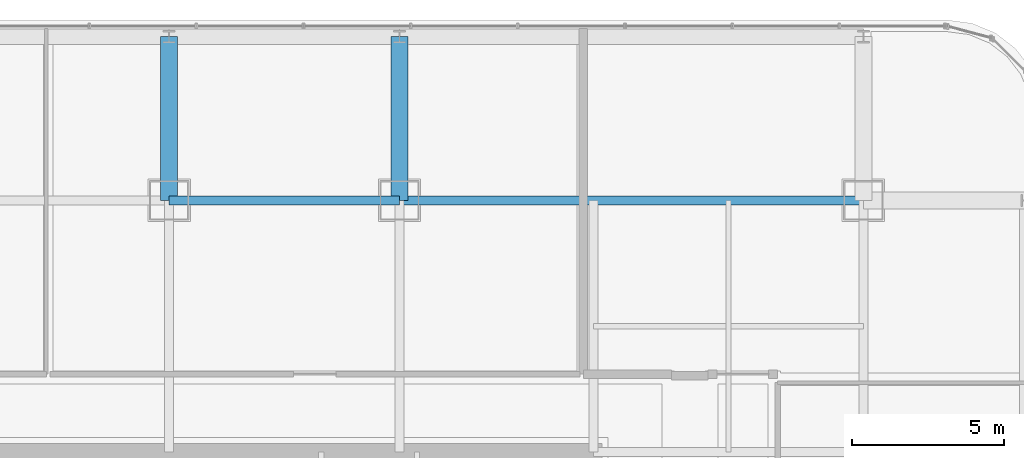
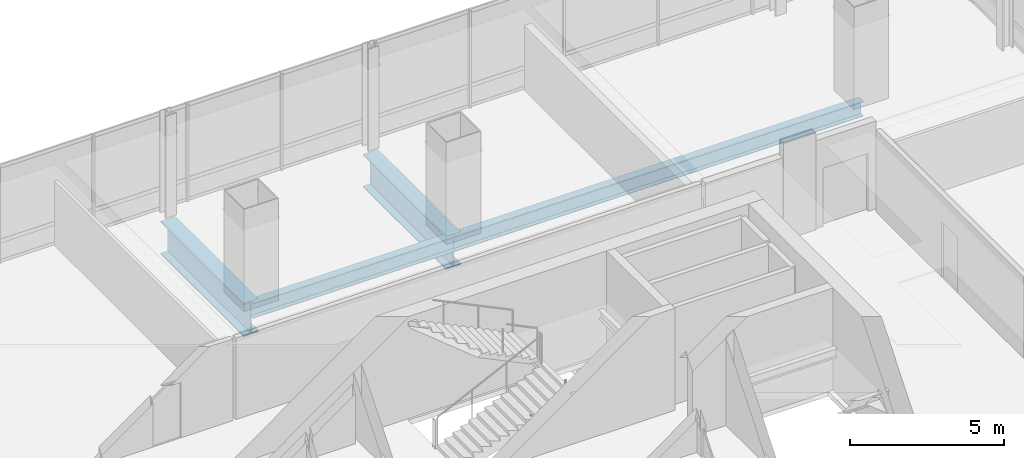
# One storey, part 26 of 40: 4 beams.
"""IFC4 building model written with IfcOpenShell, lengths in metres."""

import ifcopenshell
import ifcopenshell.guid

model = None  # the IFC model being written
_history = None  # IfcOwnerHistory: only IFC2X3 demands one
_inside = {}  # id of a spatial element -> (the spatial element, [elements in it])
_under = {}  # id of a project, library or spatial element -> (it, [spatial elements below it])
_declared = {}  # id of a project -> (the project, [libraries it declares])
_typed = {}  # id of a type object -> (the type object, [elements of that type])
_made_of = {}  # id of a material, layer set ... -> (it, [elements and type objects made of it])


def new_model(schema):
    """Start an empty IFC model of exactly this schema.

    Asked for "IFC4X3", IfcOpenShell would pick the latest addendum, in which some entities
    have other attributes; the version numbers below select the first issue.
    IFC2X3 requires an IfcOwnerHistory on every rooted entity: one is made here for all.
    """
    global model, _history
    if schema == "IFC4X3":
        model = ifcopenshell.file(schema_version=(4, 3, 0, 0))
    else:
        model = ifcopenshell.file(schema=schema)
    _inside.clear()
    _under.clear()
    _declared.clear()
    _typed.clear()
    _made_of.clear()
    _history = None
    if model.schema == "IFC2X3":
        org = make("IfcOrganization", Name="unknown")
        user = make(
            "IfcPersonAndOrganization",
            ThePerson=make("IfcPerson", FamilyName="unknown"),
            TheOrganization=org,
        )
        app = make(
            "IfcApplication",
            ApplicationDeveloper=org,
            Version="unknown",
            ApplicationFullName="unknown",
            ApplicationIdentifier="unknown",
        )
        _history = make(
            "IfcOwnerHistory",
            OwningUser=user,
            OwningApplication=app,
            ChangeAction="ADDED",
            CreationDate=0,
        )
    return model


def make(cls, **values):
    """One entity of the class cls with the attributes given. An attribute that is None is left unset."""
    return model.create_entity(
        cls, **{name: value for name, value in values.items() if value is not None}
    )


def rooted(cls, **values):
    """An entity with a GlobalId (a new one), such as an element, a storey or a relation."""
    return make(cls, GlobalId=ifcopenshell.guid.new(), OwnerHistory=_history, **values)


def si_unit(unit_type, name, prefix=None):
    """IfcSIUnit, for example si_unit("LENGTHUNIT", "METRE", prefix="MILLI")."""
    return make("IfcSIUnit", UnitType=unit_type, Prefix=prefix, Name=name)


def assignment(units):
    """IfcUnitAssignment: the units of a project."""
    return None if units is None else make("IfcUnitAssignment", Units=units)


def point(xyz):
    """IfcCartesianPoint."""
    return None if xyz is None else make("IfcCartesianPoint", Coordinates=xyz)


def direction(xyz):
    """IfcDirection."""
    return None if xyz is None else make("IfcDirection", DirectionRatios=xyz)


def frame(location, z_axis=None, x_axis=None):
    """IfcAxis2Placement3D, a coordinate frame: its origin and axes. An axis left out is left unset."""
    return make(
        "IfcAxis2Placement3D",
        Location=point(location),
        Axis=direction(z_axis),
        RefDirection=direction(x_axis),
    )


def frame_2d(location, x_axis=None):
    """IfcAxis2Placement2D, a coordinate frame in the plane: its origin and x axis."""
    return make(
        "IfcAxis2Placement2D", Location=point(location), RefDirection=direction(x_axis)
    )


def origin():
    """The frame at (0, 0, 0) with its axes left unset."""
    return frame((0.0, 0.0, 0.0))


def origin_2d():
    """The frame at (0, 0) in the plane with its x axis left unset."""
    return frame_2d((0.0, 0.0))


def place(relative_to, where):
    """IfcLocalPlacement: puts the frame where relative to a parent placement (None: the world)."""
    return make(
        "IfcLocalPlacement", PlacementRelTo=relative_to, RelativePlacement=where
    )


def context(
    kind, dimensions, precision=None, world=None, true_north=None, identifier=None
):
    """IfcGeometricRepresentationContext, for example the 3D "Model" context."""
    return make(
        "IfcGeometricRepresentationContext",
        ContextIdentifier=identifier,
        ContextType=kind,
        CoordinateSpaceDimension=dimensions,
        Precision=precision,
        WorldCoordinateSystem=world,
        TrueNorth=true_north,
    )


def subcontext(parent, identifier, kind, view, scale=None):
    """IfcGeometricRepresentationSubContext, for example "Body" below "Model"."""
    return make(
        "IfcGeometricRepresentationSubContext",
        ContextIdentifier=identifier,
        ContextType=kind,
        ParentContext=parent,
        TargetScale=scale,
        TargetView=view,
    )


def project(units=None, contexts=None):
    """IfcProject with its units and contexts."""
    return rooted(
        "IfcProject",
        Name="project",
        RepresentationContexts=contexts,
        UnitsInContext=assignment(units),
    )


def spatial(cls, under=None, at=None, **own):
    """A site, building, storey or space (cls), placed at a placement, below another one or the project."""
    s = rooted(cls, ObjectPlacement=at, **own)
    if under is not None:
        _under.setdefault(under.id(), (under, []))[1].append(s)
    return s


def profile(cls, at=None, kind="AREA", **sizes):
    """A parametric profile (cls). Its sizes go by their IFC names, for example OverallWidth=200.0."""
    return make(cls, ProfileType=kind, Position=at, **sizes)


def i_section(**sizes):
    """IfcIShapeProfileDef."""
    return profile("IfcIShapeProfileDef", **sizes)


def extrude(swept, where, along, depth):
    """IfcExtrudedAreaSolid: the profile swept, set in the frame where, extruded along a direction by depth."""
    return make(
        "IfcExtrudedAreaSolid",
        SweptArea=swept,
        Position=where,
        ExtrudedDirection=direction(along),
        Depth=depth,
    )


def shape(context_of_items, identifier, shape_type, items):
    """IfcShapeRepresentation: the items that make up one representation, for example the "Body"."""
    return make(
        "IfcShapeRepresentation",
        ContextOfItems=context_of_items,
        RepresentationIdentifier=identifier,
        RepresentationType=shape_type,
        Items=items,
    )


def material(Name=None, Category=None):
    """IfcMaterial."""
    return make("IfcMaterial", Name=Name, Category=Category)


def material_profile(
    of_material, cross_section, Name=None, Category=None, Priority=None
):
    """IfcMaterialProfile: a cross section and its material."""
    return make(
        "IfcMaterialProfile",
        Name=Name,
        Material=of_material,
        Profile=cross_section,
        Priority=Priority,
        Category=Category,
    )


def profile_set(profiles, Name=None, composite=None):
    """IfcMaterialProfileSet."""
    return make(
        "IfcMaterialProfileSet",
        Name=Name,
        MaterialProfiles=profiles,
        CompositeProfile=composite,
    )


def made_of(thing, what):
    """Note that an element or type object is made of a material, layer set ...; save() writes the relation."""
    if what is not None:
        _made_of.setdefault(what.id(), (what, []))[1].append(thing)
    return thing


def type_object(cls, material=None, **own):
    """A type object (cls), such as IfcWallType, which elements share."""
    return made_of(rooted(cls, **own), material)


def element(
    cls,
    number,
    at=None,
    inside=None,
    cuts=None,
    type_object=None,
    material=None,
    context=None,
    identifier="Body",
    shape_type=None,
    held_by="IfcProductDefinitionShape",
    body=None,
    shapes=None,
    **own,
):
    """One element of the class cls, such as IfcWall. Its Tag is "e" and its number.

    at: its placement. inside: the storey or other place that contains it. cuts: it is an
    opening in that element (IfcRelVoidsElement). A single representation is given by context,
    identifier, shape_type and body (its items); several are given by shapes. held_by: the class
    of the entity that holds the representations. save() writes the other relations.
    """
    e = rooted(cls, Tag="e%d" % number, ObjectPlacement=at, **own)
    if body is not None:
        shapes = [shape(context, identifier, shape_type, body)]
    if shapes is not None:
        e.Representation = make(held_by, Representations=shapes)
    if inside is not None:
        _inside.setdefault(inside.id(), (inside, []))[1].append(e)
    if cuts is not None:
        rooted(
            "IfcRelVoidsElement", RelatingBuildingElement=cuts, RelatedOpeningElement=e
        )
    if type_object is not None:
        _typed.setdefault(type_object.id(), (type_object, []))[1].append(e)
    return made_of(e, material)


def aggregate(whole, parts):
    """IfcRelAggregates: a whole, such as a stair, and the parts it consists of."""
    return rooted("IfcRelAggregates", RelatingObject=whole, RelatedObjects=parts)


def save(model, path):
    """Write the relations noted so far, then the file.

    IfcRelAggregates (storeys below a building ...), IfcRelContainedInSpatialStructure (elements
    in a storey), IfcRelDefinesByType, IfcRelAssociatesMaterial and IfcRelDeclares: one each for
    every whole, place, type object, material and project.
    """
    for whole, parts in _under.values():
        aggregate(whole, parts)
    for where, things in _inside.values():
        rooted(
            "IfcRelContainedInSpatialStructure",
            RelatedElements=things,
            RelatingStructure=where,
        )
    for kind, things in _typed.values():
        rooted("IfcRelDefinesByType", RelatedObjects=things, RelatingType=kind)
    for what, things in _made_of.values():
        rooted("IfcRelAssociatesMaterial", RelatedObjects=things, RelatingMaterial=what)
    for by, libraries in _declared.values():
        rooted("IfcRelDeclares", RelatingContext=by, RelatedDefinitions=libraries)
    model.write(path)


model = new_model("IFC4")

# Units and contexts
model_context = context("Model", 3, precision=1e-05, world=origin(), true_north=direction((0.0, 1.0)))
body_context = subcontext(model_context, "Body", "Model", "MODEL_VIEW")
ifc_project = project(units=[si_unit("LENGTHUNIT", "METRE"), si_unit("AREAUNIT", "SQUARE_METRE"), si_unit("VOLUMEUNIT", "CUBIC_METRE"), si_unit("PLANEANGLEUNIT", "RADIAN"), si_unit("MASSUNIT", "GRAM", prefix="KILO")], contexts=[model_context])

# Site, building, storey
site_placement = place(None, origin())
site = spatial("IfcSite", under=ifc_project, at=site_placement, CompositionType="ELEMENT")
building_placement = place(site_placement, origin())
building = spatial("IfcBuilding", under=site, at=building_placement, Name="Punatoya Terracotta Tower", CompositionType="ELEMENT")
storey_placement = place(building_placement, frame((0.0, 0.0, 271.64990234375)))
storey = spatial("IfcBuildingStorey", under=building, at=storey_placement, Name="L64", CompositionType="ELEMENT", Elevation=271.64990234375)

# Beams
ifc_material_1 = material(Name="Steel S355", Category="steel")
ifc_material_profile_1 = material_profile(ifc_material_1, i_section(OverallWidth=0.300048828125, OverallDepth=0.60009765625, WebThickness=0.015380859375, FlangeThickness=0.030029296875, FilletRadius=0.01806640625, at=origin_2d()))
ifc_profile_set_1 = profile_set([ifc_material_profile_1], Name="Steel S355")
beam_type_1 = type_object("IfcBeamType", Name="BM-PRI-600", PredefinedType="BEAM", material=ifc_profile_set_1)
beam_1_placement = place(storey_placement, frame((-3.800048828125, 17.5, -0.5), z_axis=(1.0, 0.0, 0.0), x_axis=(0.0, 1.0, 0.0)))
element("IfcBeam", 1, at=beam_1_placement, inside=storey, type_object=beam_type_1, Name="BM-L64-RG-N2", PredefinedType="BEAM", context=body_context, shape_type="SweptSolid", body=[
    extrude(i_section(OverallWidth=0.300048828125, OverallDepth=0.60009765625, WebThickness=0.015380859375, FlangeThickness=0.030029296875, FilletRadius=0.01806640625, at=origin_2d()), origin(), (0.0, 0.0, 1.0), 7.60009765625),
])
beam_2_placement = place(storey_placement, frame((3.800048828125, 17.5, -0.5), z_axis=(1.0, 0.0, 0.0), x_axis=(0.0, 1.0, 0.0)))
element("IfcBeam", 2, at=beam_2_placement, inside=storey, type_object=beam_type_1, Name="BM-L64-RG-N3", PredefinedType="BEAM", context=body_context, shape_type="SweptSolid", body=[
    extrude(i_section(OverallWidth=0.300048828125, OverallDepth=0.60009765625, WebThickness=0.015380859375, FlangeThickness=0.030029296875, FilletRadius=0.01806640625, at=origin_2d()), origin(), (0.0, 0.0, 1.0), 15.300048828125),
])
ifc_material_2 = material(Name="Steel S460", Category="steel")
ifc_material_profile_2 = material_profile(ifc_material_2, i_section(OverallWidth=0.56005859375, OverallDepth=1.320068359375, WebThickness=0.035888671875, FlangeThickness=0.054931640625, FilletRadius=0.01806640625, at=origin_2d()))
ifc_profile_set_2 = profile_set([ifc_material_profile_2], Name="Steel S460")
beam_type_2 = type_object("IfcBeamType", Name="BM-TG-BLK", PredefinedType="BEAM", material=ifc_profile_set_2)
for number, where, z_axis, x_axis, name in (
    (3, (-3.800048828125, 17.5, -0.85986328125), (0.0, 1.0, 0.0), (-1.0, 0.0, 0.0), "BM-L64-CANT-N2"),
    (4, (3.800048828125, 17.5, -0.85986328125), (0.0, 1.0, 0.0), (-1.0, 0.0, 0.0), "BM-L64-CANT-N3"),
):
    element("IfcBeam", number, at=place(storey_placement, frame(where, z_axis=z_axis, x_axis=x_axis)), inside=storey, type_object=beam_type_2, Name=name, PredefinedType="BEAM", context=body_context, shape_type="SweptSolid", body=[
        extrude(i_section(OverallWidth=0.56005859375, OverallDepth=1.320068359375, WebThickness=0.035888671875, FlangeThickness=0.054931640625, FilletRadius=0.01806640625, at=origin_2d()), origin(), (0.0, 0.0, 1.0), 5.39990234375),
    ])

save(model, "model.ifc")
